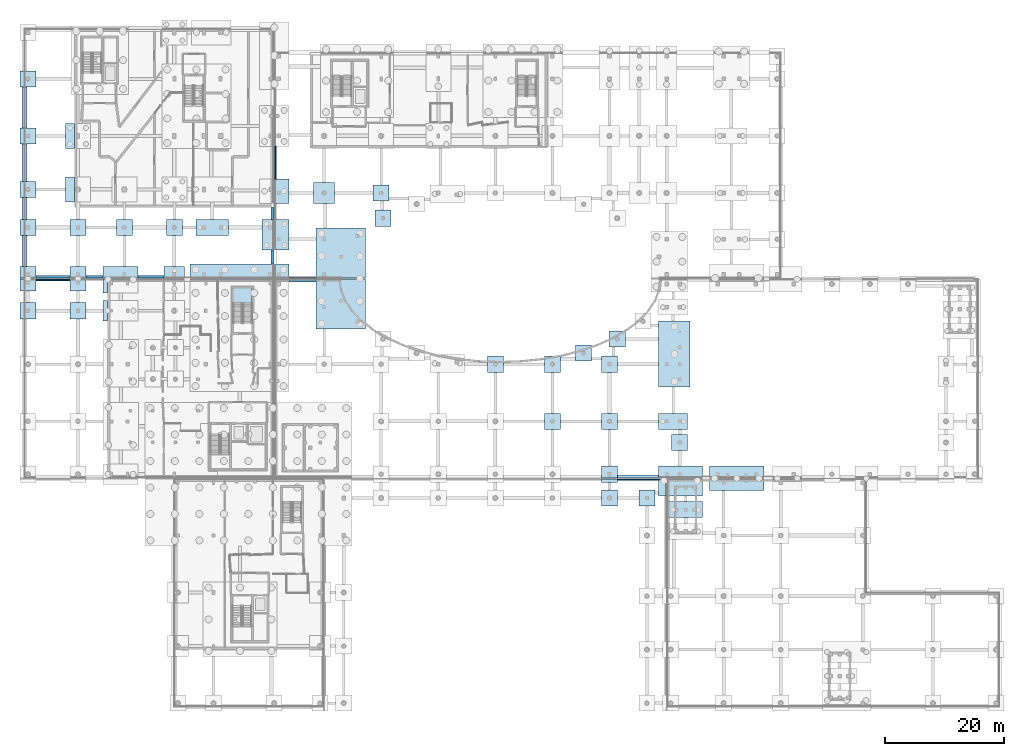
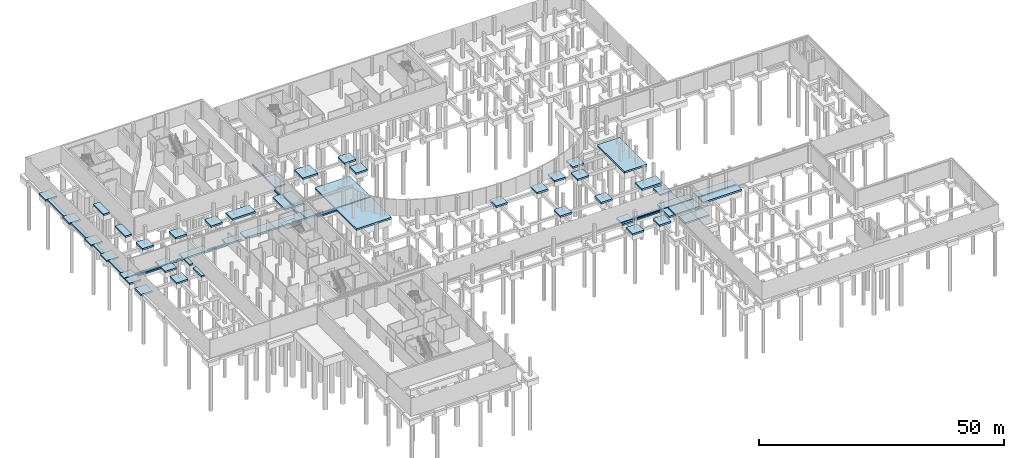
# One storey, part 17 of 40: 66 slabs, 1 element without a shape of its own.
"""IFC4 building model written with IfcOpenShell, lengths in metres."""

from ifc_helpers import new_model, si_unit, direction, frame, origin, place, context, subcontext, project, spatial, polyline, outline, extrude, material, layer, layer_set, type_object, element, aggregate, save


model = new_model("IFC4")

# Units and contexts
model_context = context("Model", 3, precision=1e-05, world=origin(), true_north=direction((0.0, 1.0)))
body_context = subcontext(model_context, "Body", "Model", "MODEL_VIEW")
ifc_project = project(units=[si_unit("LENGTHUNIT", "METRE"), si_unit("AREAUNIT", "SQUARE_METRE"), si_unit("VOLUMEUNIT", "CUBIC_METRE"), si_unit("PLANEANGLEUNIT", "RADIAN"), si_unit("MASSUNIT", "GRAM", prefix="KILO")], contexts=[model_context])

# Site, building, storey
site_placement = place(None, origin())
site = spatial("IfcSite", under=ifc_project, at=site_placement, CompositionType="ELEMENT")
building_placement = place(site_placement, origin())
building = spatial("IfcBuilding", under=site, at=building_placement, Name="Mzevani Central Library", CompositionType="ELEMENT")
storey_placement = place(building_placement, frame((0.0, 0.0, -4.5)))
storey = spatial("IfcBuildingStorey", under=building, at=storey_placement, Name="B1", CompositionType="ELEMENT", Elevation=-4.5)

# Slabs
ifc_material_1 = material(Name="Concrete C40/50", Category="concrete")
ifc_layer_1 = layer(ifc_material_1, 0.419921875, Name="Basement Mat Base Slab 420")
ifc_layer_set_1 = layer_set([ifc_layer_1], Name="Concrete C40/50")
slab_type_1 = type_object("IfcSlabType", Name="Basement Mat Base Slab 420", PredefinedType="BASESLAB", material=ifc_layer_set_1)
slab_1_placement = place(storey_placement, frame((0.0, 0.0, -0.419921875)))
element("IfcSlab", 1, at=slab_1_placement, inside=storey, type_object=slab_type_1, Name="B1 Foundation Plinth Collar (1)", PredefinedType="BASESLAB", context=body_context, shape_type="SweptSolid", body=[
    extrude(outline(polyline([(45.89990234375, 78.449951171875), (45.89990234375, 76.10009765625), (31.85009765625, 76.10009765625), (31.85009765625, 78.449951171875), (45.89990234375, 78.449951171875)])), origin(), (0.0, 0.0, 1.0), 0.419921875),
])
slab_2_placement = place(storey_placement, frame((0.0, 0.0, -0.419921875)))
element("IfcSlab", 2, at=slab_2_placement, inside=storey, type_object=slab_type_1, Name="B1 Foundation Plinth Collar (2)", PredefinedType="BASESLAB", context=body_context, shape_type="SweptSolid", body=[
    extrude(outline(polyline([(48.5, 78.449951171875), (48.5, 76.10009765625), (46.10009765625, 76.10009765625), (46.10009765625, 78.449951171875), (48.5, 78.449951171875)])), origin(), (0.0, 0.0, 1.0), 0.419921875),
])
slab_3_placement = place(storey_placement, frame((0.0, 0.0, -0.419921875)))
element("IfcSlab", 3, at=slab_3_placement, inside=storey, type_object=slab_type_1, Name="B1 Foundation Plinth Collar (5)", PredefinedType="BASESLAB", context=body_context, shape_type="SweptSolid", body=[
    extrude(outline(polyline([(53.050048828125, 75.89990234375), (61.325927734375, 75.89990234375), (61.325927734375, 67.5009765625), (53.050048828125, 67.5009765625), (53.050048828125, 75.89990234375)])), origin(), (0.0, 0.0, 1.0), 0.419921875),
])
slab_4_placement = place(storey_placement, frame((0.0, 0.0, -0.419921875)))
element("IfcSlab", 4, at=slab_4_placement, inside=storey, type_object=slab_type_1, Name="B1 Foundation Plinth Collar (6)", PredefinedType="BASESLAB", context=body_context, shape_type="SweptSolid", body=[
    extrude(outline(polyline([(53.050048828125, 84.4990234375), (61.325927734375, 84.4990234375), (61.325927734375, 76.10009765625), (53.050048828125, 76.10009765625), (53.050048828125, 84.4990234375)])), origin(), (0.0, 0.0, 1.0), 0.419921875),
])
slab_5_placement = place(storey_placement, frame((0.0, 0.0, -0.419921875)))
element("IfcSlab", 5, at=slab_5_placement, inside=storey, type_object=slab_type_1, Name="B1 Foundation Plinth Collar (18)", PredefinedType="BASESLAB", context=body_context, shape_type="SweptSolid", body=[
    extrude(outline(polyline([(81.85009765625, 62.949951171875), (84.550048828125, 62.949951171875), (84.550048828125, 60.25), (81.85009765625, 60.25), (81.85009765625, 62.949951171875)])), origin(), (0.0, 0.0, 1.0), 0.419921875),
])
slab_6_placement = place(storey_placement, frame((0.0, 0.0, -0.419921875)))
element("IfcSlab", 6, at=slab_6_placement, inside=storey, type_object=slab_type_1, Name="B1 Foundation Plinth Collar (21)", PredefinedType="BASESLAB", context=body_context, shape_type="SweptSolid", body=[
    extrude(outline(polyline([(91.449951171875, 53.35009765625), (94.14990234375, 53.35009765625), (94.14990234375, 50.64990234375), (91.449951171875, 50.64990234375), (91.449951171875, 53.35009765625)])), origin(), (0.0, 0.0, 1.0), 0.419921875),
])
slab_7_placement = place(storey_placement, frame((0.0, 0.0, -0.419921875)))
element("IfcSlab", 7, at=slab_7_placement, inside=storey, type_object=slab_type_1, Name="B1 Foundation Plinth Collar (22)", PredefinedType="BASESLAB", context=body_context, shape_type="SweptSolid", body=[
    extrude(outline(polyline([(91.449951171875, 62.949951171875), (94.14990234375, 62.949951171875), (94.14990234375, 60.25), (91.449951171875, 60.25), (91.449951171875, 62.949951171875)])), origin(), (0.0, 0.0, 1.0), 0.419921875),
])
slab_8_placement = place(storey_placement, frame((0.0, 0.0, -0.419921875)))
element("IfcSlab", 8, at=slab_8_placement, inside=storey, type_object=slab_type_1, Name="B1 Foundation Plinth Collar (23)", PredefinedType="BASESLAB", context=body_context, shape_type="SweptSolid", body=[
    extrude(outline(polyline([(101.050048828125, 42.300048828125), (103.75, 42.300048828125), (103.75, 41.75), (101.050048828125, 41.75), (101.050048828125, 42.300048828125)])), origin(), (0.0, 0.0, 1.0), 0.419921875),
])
slab_9_placement = place(storey_placement, frame((0.0, 0.0, -0.419921875)))
element("IfcSlab", 9, at=slab_9_placement, inside=storey, type_object=slab_type_1, Name="B1 Foundation Plinth Collar (24)", PredefinedType="BASESLAB", context=body_context, shape_type="SweptSolid", body=[
    extrude(outline(polyline([(101.050048828125, 44.449951171875), (103.75, 44.449951171875), (103.75, 42.5), (101.050048828125, 42.5), (101.050048828125, 44.449951171875)])), origin(), (0.0, 0.0, 1.0), 0.419921875),
])
slab_10_placement = place(storey_placement, frame((0.0, 0.0, -0.419921875)))
element("IfcSlab", 10, at=slab_10_placement, inside=storey, type_object=slab_type_1, Name="B1 Foundation Plinth Collar (25)", PredefinedType="BASESLAB", context=body_context, shape_type="SweptSolid", body=[
    extrude(outline(polyline([(101.050048828125, 53.35009765625), (103.75, 53.35009765625), (103.75, 50.64990234375), (101.050048828125, 50.64990234375), (101.050048828125, 53.35009765625)])), origin(), (0.0, 0.0, 1.0), 0.419921875),
])
slab_11_placement = place(storey_placement, frame((0.0, 0.0, -0.419921875)))
element("IfcSlab", 11, at=slab_11_placement, inside=storey, type_object=slab_type_1, Name="B1 Foundation Plinth Collar (26)", PredefinedType="BASESLAB", context=body_context, shape_type="SweptSolid", body=[
    extrude(outline(polyline([(101.050048828125, 62.949951171875), (103.75, 62.949951171875), (103.75, 60.25), (101.050048828125, 60.25), (101.050048828125, 62.949951171875)])), origin(), (0.0, 0.0, 1.0), 0.419921875),
])
slab_12_placement = place(storey_placement, frame((0.0, 0.0, -0.419921875)))
element("IfcSlab", 12, at=slab_12_placement, inside=storey, type_object=slab_type_1, Name="B1 Foundation Plinth Collar (27)", PredefinedType="BASESLAB", context=body_context, shape_type="SweptSolid", body=[
    extrude(outline(polyline([(110.64990234375, 42.300048828125), (111.89990234375, 42.300048828125), (111.89990234375, 39.449951171875), (110.64990234375, 39.449951171875), (110.64990234375, 42.300048828125)])), origin(), (0.0, 0.0, 1.0), 0.419921875),
])
slab_13_placement = place(storey_placement, frame((0.0, 0.0, -0.419921875)))
element("IfcSlab", 13, at=slab_13_placement, inside=storey, type_object=slab_type_1, Name="B1 Foundation Plinth Collar (28)", PredefinedType="BASESLAB", context=body_context, shape_type="SweptSolid", body=[
    extrude(outline(polyline([(110.64990234375, 44.449951171875), (118.050048828125, 44.449951171875), (118.050048828125, 42.5), (110.64990234375, 42.5), (110.64990234375, 44.449951171875)])), origin(), (0.0, 0.0, 1.0), 0.419921875),
])
slab_14_placement = place(storey_placement, frame((0.0, 0.0, -0.419921875)))
element("IfcSlab", 14, at=slab_14_placement, inside=storey, type_object=slab_type_1, Name="B1 Foundation Plinth Collar (29)", PredefinedType="BASESLAB", context=body_context, shape_type="SweptSolid", body=[
    extrude(outline(polyline([(118.050048828125, 39.449951171875), (112.10009765625, 39.449951171875), (112.10009765625, 42.300048828125), (118.050048828125, 42.300048828125), (118.050048828125, 39.449951171875)])), origin(), (0.0, 0.0, 1.0), 0.419921875),
])
slab_15_placement = place(storey_placement, frame((0.0, 0.0, -0.419921875)))
element("IfcSlab", 15, at=slab_15_placement, inside=storey, type_object=slab_type_1, Name="B1 Foundation Plinth Collar (30)", PredefinedType="BASESLAB", context=body_context, shape_type="SweptSolid", body=[
    extrude(outline(polyline([(110.64990234375, 53.35009765625), (115.550048828125, 53.35009765625), (115.550048828125, 50.64990234375), (110.64990234375, 50.64990234375), (110.64990234375, 53.35009765625)])), origin(), (0.0, 0.0, 1.0), 0.419921875),
])
slab_16_placement = place(storey_placement, frame((0.0, 0.0, -0.419921875)))
element("IfcSlab", 16, at=slab_16_placement, inside=storey, type_object=slab_type_1, Name="B1 Foundation Plinth Collar (31)", PredefinedType="BASESLAB", context=body_context, shape_type="SweptSolid", body=[
    extrude(outline(polyline([(110.64990234375, 68.85009765625), (115.949951171875, 68.85009765625), (115.949951171875, 57.75), (110.64990234375, 57.75), (110.64990234375, 68.85009765625)])), origin(), (0.0, 0.0, 1.0), 0.419921875),
])
slab_17_placement = place(storey_placement, frame((0.0, 0.0, -0.419921875)))
element("IfcSlab", 17, at=slab_17_placement, inside=storey, type_object=slab_type_1, Name="B1 Foundation Plinth Collar (43)", PredefinedType="BASESLAB", context=body_context, shape_type="SweptSolid", body=[
    extrude(outline(polyline([(119.25, 42.300048828125), (128.35009765625, 42.300048828125), (128.35009765625, 40.35009765625), (119.25, 40.35009765625), (119.25, 42.300048828125)])), origin(), (0.0, 0.0, 1.0), 0.419921875),
])
slab_18_placement = place(storey_placement, frame((0.0, 0.0, -0.419921875)))
element("IfcSlab", 18, at=slab_18_placement, inside=storey, type_object=slab_type_1, Name="B1 Foundation Plinth Collar (44)", PredefinedType="BASESLAB", context=body_context, shape_type="SweptSolid", body=[
    extrude(outline(polyline([(119.25, 44.449951171875), (128.35009765625, 44.449951171875), (128.35009765625, 42.5), (119.25, 42.5), (119.25, 44.449951171875)])), origin(), (0.0, 0.0, 1.0), 0.419921875),
])
slab_19_placement = place(storey_placement, frame((0.0, 0.0, -0.419921875)))
element("IfcSlab", 19, at=slab_19_placement, inside=storey, type_object=slab_type_1, Name="B1 Foundation Plinth Collar (63)", PredefinedType="BASESLAB", context=body_context, shape_type="SweptSolid", body=[
    extrude(outline(polyline([(112.85009765625, 49.782958984375), (115.550048828125, 49.782958984375), (115.550048828125, 47.0830078125), (112.85009765625, 47.0830078125), (112.85009765625, 49.782958984375)])), origin(), (0.0, 0.0, 1.0), 0.419921875),
])
slab_20_placement = place(storey_placement, frame((0.0, 0.0, -0.419921875)))
element("IfcSlab", 20, at=slab_20_placement, inside=storey, type_object=slab_type_1, Name="B1 Foundation Plinth Collar (67)", PredefinedType="BASESLAB", context=body_context, shape_type="SweptSolid", body=[
    extrude(outline(polyline([(96.68408203125, 64.822021484375), (99.384033203125, 64.822021484375), (99.384033203125, 62.1220703125), (96.68408203125, 62.1220703125), (96.68408203125, 64.822021484375)])), origin(), (0.0, 0.0, 1.0), 0.419921875),
])
slab_21_placement = place(storey_placement, frame((0.0, 0.0, -0.419921875)))
element("IfcSlab", 21, at=slab_21_placement, inside=storey, type_object=slab_type_1, Name="B1 Foundation Plinth Collar (68)", PredefinedType="BASESLAB", context=body_context, shape_type="SweptSolid", body=[
    extrude(outline(polyline([(102.35595703125, 67.194091796875), (105.055908203125, 67.194091796875), (105.055908203125, 64.493896484375), (102.35595703125, 64.493896484375), (102.35595703125, 67.194091796875)])), origin(), (0.0, 0.0, 1.0), 0.419921875),
])
slab_22_placement = place(storey_placement, frame((0.0, 0.0, -0.419921875)))
element("IfcSlab", 22, at=slab_22_placement, inside=storey, type_object=slab_type_1, Name="B1 Foundation Plinth Collar (70)", PredefinedType="BASESLAB", context=body_context, shape_type="SweptSolid", body=[
    extrude(outline(polyline([(3.25, 75.89990234375), (5.949951171875, 75.89990234375), (5.949951171875, 73.949951171875), (3.25, 73.949951171875), (3.25, 75.89990234375)])), origin(), (0.0, 0.0, 1.0), 0.419921875),
])
slab_23_placement = place(storey_placement, frame((0.0, 0.0, -0.419921875)))
element("IfcSlab", 23, at=slab_23_placement, inside=storey, type_object=slab_type_1, Name="B1 Foundation Plinth Collar (71)", PredefinedType="BASESLAB", context=body_context, shape_type="SweptSolid", body=[
    extrude(outline(polyline([(3.25, 78.050048828125), (5.949951171875, 78.050048828125), (5.949951171875, 76.10009765625), (3.25, 76.10009765625), (3.25, 78.050048828125)])), origin(), (0.0, 0.0, 1.0), 0.419921875),
])
slab_24_placement = place(storey_placement, frame((0.0, 0.0, -0.419921875)))
element("IfcSlab", 24, at=slab_24_placement, inside=storey, type_object=slab_type_1, Name="B1 Foundation Plinth Collar (72)", PredefinedType="BASESLAB", context=body_context, shape_type="SweptSolid", body=[
    extrude(outline(polyline([(3.25, 85.949951171875), (5.949951171875, 85.949951171875), (5.949951171875, 83.25), (3.25, 83.25), (3.25, 85.949951171875)])), origin(), (0.0, 0.0, 1.0), 0.419921875),
])
slab_25_placement = place(storey_placement, frame((0.0, 0.0, -0.419921875)))
element("IfcSlab", 25, at=slab_25_placement, inside=storey, type_object=slab_type_1, Name="B1 Foundation Plinth Collar (73)", PredefinedType="BASESLAB", context=body_context, shape_type="SweptSolid", body=[
    extrude(outline(polyline([(3.25, 92.35009765625), (5.949951171875, 92.35009765625), (5.949951171875, 89.64990234375), (3.25, 89.64990234375), (3.25, 92.35009765625)])), origin(), (0.0, 0.0, 1.0), 0.419921875),
])
slab_26_placement = place(storey_placement, frame((0.0, 0.0, -0.419921875)))
element("IfcSlab", 26, at=slab_26_placement, inside=storey, type_object=slab_type_1, Name="B1 Foundation Plinth Collar (74)", PredefinedType="BASESLAB", context=body_context, shape_type="SweptSolid", body=[
    extrude(outline(polyline([(3.25, 101.35009765625), (5.949951171875, 101.35009765625), (5.949951171875, 98.64990234375), (3.25, 98.64990234375), (3.25, 101.35009765625)])), origin(), (0.0, 0.0, 1.0), 0.419921875),
])
slab_27_placement = place(storey_placement, frame((0.0, 0.0, -0.419921875)))
element("IfcSlab", 27, at=slab_27_placement, inside=storey, type_object=slab_type_1, Name="B1 Foundation Plinth Collar (75)", PredefinedType="BASESLAB", context=body_context, shape_type="SweptSolid", body=[
    extrude(outline(polyline([(3.25, 110.949951171875), (5.949951171875, 110.949951171875), (5.949951171875, 108.25), (3.25, 108.25), (3.25, 110.949951171875)])), origin(), (0.0, 0.0, 1.0), 0.419921875),
])
slab_28_placement = place(storey_placement, frame((0.0, 0.0, -0.419921875)))
element("IfcSlab", 28, at=slab_28_placement, inside=storey, type_object=slab_type_1, Name="B1 Foundation Plinth Collar (77)", PredefinedType="BASESLAB", context=body_context, shape_type="SweptSolid", body=[
    extrude(outline(polyline([(11.64990234375, 75.89990234375), (14.35009765625, 75.89990234375), (14.35009765625, 73.949951171875), (11.64990234375, 73.949951171875), (11.64990234375, 75.89990234375)])), origin(), (0.0, 0.0, 1.0), 0.419921875),
])
slab_29_placement = place(storey_placement, frame((0.0, 0.0, -0.419921875)))
element("IfcSlab", 29, at=slab_29_placement, inside=storey, type_object=slab_type_1, Name="B1 Foundation Plinth Collar (78)", PredefinedType="BASESLAB", context=body_context, shape_type="SweptSolid", body=[
    extrude(outline(polyline([(11.64990234375, 78.050048828125), (14.35009765625, 78.050048828125), (14.35009765625, 76.10009765625), (11.64990234375, 76.10009765625), (11.64990234375, 78.050048828125)])), origin(), (0.0, 0.0, 1.0), 0.419921875),
])
slab_30_placement = place(storey_placement, frame((0.0, 0.0, -0.419921875)))
element("IfcSlab", 30, at=slab_30_placement, inside=storey, type_object=slab_type_1, Name="B1 Foundation Plinth Collar (79)", PredefinedType="BASESLAB", context=body_context, shape_type="SweptSolid", body=[
    extrude(outline(polyline([(11.64990234375, 85.949951171875), (14.35009765625, 85.949951171875), (14.35009765625, 83.25), (11.64990234375, 83.25), (11.64990234375, 85.949951171875)])), origin(), (0.0, 0.0, 1.0), 0.419921875),
])
slab_31_placement = place(storey_placement, frame((0.0, 0.0, -0.419921875)))
element("IfcSlab", 31, at=slab_31_placement, inside=storey, type_object=slab_type_1, Name="B1 Foundation Plinth Collar (80)", PredefinedType="BASESLAB", context=body_context, shape_type="SweptSolid", body=[
    extrude(outline(polyline([(10.89990234375, 93.10009765625), (12.3798828125, 93.10009765625), (12.3798828125, 88.89990234375), (10.89990234375, 88.89990234375), (10.89990234375, 93.10009765625)])), origin(), (0.0, 0.0, 1.0), 0.419921875),
])
slab_32_placement = place(storey_placement, frame((0.0, 0.0, -0.419921875)))
element("IfcSlab", 32, at=slab_32_placement, inside=storey, type_object=slab_type_1, Name="B1 Foundation Plinth Collar (81)", PredefinedType="BASESLAB", context=body_context, shape_type="SweptSolid", body=[
    extrude(outline(polyline([(10.89990234375, 102.10009765625), (12.3798828125, 102.10009765625), (12.3798828125, 97.89990234375), (10.89990234375, 97.89990234375), (10.89990234375, 102.10009765625)])), origin(), (0.0, 0.0, 1.0), 0.419921875),
])
slab_33_placement = place(storey_placement, frame((0.0, 0.0, -0.419921875)))
element("IfcSlab", 33, at=slab_33_placement, inside=storey, type_object=slab_type_1, Name="B1 Foundation Plinth Collar (82)", PredefinedType="BASESLAB", context=body_context, shape_type="SweptSolid", body=[
    extrude(outline(polyline([(17.25, 75.89990234375), (17.97998046875, 75.89990234375), (17.97998046875, 73.550048828125), (17.25, 73.550048828125), (17.25, 75.89990234375)])), origin(), (0.0, 0.0, 1.0), 0.419921875),
])
slab_34_placement = place(storey_placement, frame((0.0, 0.0, -0.419921875)))
element("IfcSlab", 34, at=slab_34_placement, inside=storey, type_object=slab_type_1, Name="B1 Foundation Plinth Collar (83)", PredefinedType="BASESLAB", context=body_context, shape_type="SweptSolid", body=[
    extrude(outline(polyline([(17.25, 78.050048828125), (23.10009765625, 78.050048828125), (23.10009765625, 76.10009765625), (17.25, 76.10009765625), (17.25, 78.050048828125)])), origin(), (0.0, 0.0, 1.0), 0.419921875),
])
slab_35_placement = place(storey_placement, frame((0.0, 0.0, -0.419921875)))
element("IfcSlab", 35, at=slab_35_placement, inside=storey, type_object=slab_type_1, Name="B1 Foundation Plinth Collar (84)", PredefinedType="BASESLAB", context=body_context, shape_type="SweptSolid", body=[
    extrude(outline(polyline([(19.449951171875, 85.949951171875), (22.14990234375, 85.949951171875), (22.14990234375, 83.25), (19.449951171875, 83.25), (19.449951171875, 85.949951171875)])), origin(), (0.0, 0.0, 1.0), 0.419921875),
])
slab_36_placement = place(storey_placement, frame((0.0, 0.0, -0.419921875)))
element("IfcSlab", 36, at=slab_36_placement, inside=storey, type_object=slab_type_1, Name="B1 Foundation Plinth Collar (85)", PredefinedType="BASESLAB", context=body_context, shape_type="SweptSolid", body=[
    extrude(outline(polyline([(30.949951171875, 78.050048828125), (30.949951171875, 76.10009765625), (27.449951171875, 76.10009765625), (27.449951171875, 78.050048828125), (30.949951171875, 78.050048828125)])), origin(), (0.0, 0.0, 1.0), 0.419921875),
])
slab_37_placement = place(storey_placement, frame((0.0, 0.0, -0.419921875)))
element("IfcSlab", 37, at=slab_37_placement, inside=storey, type_object=slab_type_1, Name="B1 Foundation Plinth Collar (86)", PredefinedType="BASESLAB", context=body_context, shape_type="SweptSolid", body=[
    extrude(outline(polyline([(27.85009765625, 85.949951171875), (30.550048828125, 85.949951171875), (30.550048828125, 83.25), (27.85009765625, 83.25), (27.85009765625, 85.949951171875)])), origin(), (0.0, 0.0, 1.0), 0.419921875),
])
slab_38_placement = place(storey_placement, frame((0.0, 0.0, -0.419921875)))
element("IfcSlab", 38, at=slab_38_placement, inside=storey, type_object=slab_type_1, Name="B1 Foundation Plinth Collar (88)", PredefinedType="BASESLAB", context=body_context, shape_type="SweptSolid", body=[
    extrude(outline(polyline([(32.85009765625, 85.949951171875), (38.35009765625, 85.949951171875), (38.35009765625, 83.25), (32.85009765625, 83.25), (32.85009765625, 85.949951171875)])), origin(), (0.0, 0.0, 1.0), 0.419921875),
])
slab_39_placement = place(storey_placement, frame((0.0, 0.0, -0.419921875)))
element("IfcSlab", 39, at=slab_39_placement, inside=storey, type_object=slab_type_1, Name="B1 Foundation Plinth Collar (90)", PredefinedType="BASESLAB", context=body_context, shape_type="SweptSolid", body=[
    extrude(outline(polyline([(43.949951171875, 85.949951171875), (45.89990234375, 85.949951171875), (45.89990234375, 80.85009765625), (43.949951171875, 80.85009765625), (43.949951171875, 85.949951171875)])), origin(), (0.0, 0.0, 1.0), 0.419921875),
])
slab_40_placement = place(storey_placement, frame((0.0, 0.0, -0.419921875)))
element("IfcSlab", 40, at=slab_40_placement, inside=storey, type_object=slab_type_1, Name="B1 Foundation Plinth Collar (91)", PredefinedType="BASESLAB", context=body_context, shape_type="SweptSolid", body=[
    extrude(outline(polyline([(48.5, 85.949951171875), (48.5, 80.85009765625), (46.10009765625, 80.85009765625), (46.10009765625, 85.949951171875), (48.5, 85.949951171875)])), origin(), (0.0, 0.0, 1.0), 0.419921875),
])
slab_41_placement = place(storey_placement, frame((0.0, 0.0, -0.419921875)))
element("IfcSlab", 41, at=slab_41_placement, inside=storey, type_object=slab_type_1, Name="B1 Foundation Plinth Collar (92)", PredefinedType="BASESLAB", context=body_context, shape_type="SweptSolid", body=[
    extrude(outline(polyline([(48.5, 88.64990234375), (46.10009765625, 88.64990234375), (46.10009765625, 92.75), (48.5, 92.75), (48.5, 88.64990234375)])), origin(), (0.0, 0.0, 1.0), 0.419921875),
])
slab_42_placement = place(storey_placement, frame((0.0, 0.0, -0.419921875)))
element("IfcSlab", 42, at=slab_42_placement, inside=storey, type_object=slab_type_1, Name="B1 Foundation Plinth Collar (96)", PredefinedType="BASESLAB", context=body_context, shape_type="SweptSolid", body=[
    extrude(outline(polyline([(52.64990234375, 92.14990234375), (56.14990234375, 92.14990234375), (56.14990234375, 88.64990234375), (52.64990234375, 88.64990234375), (52.64990234375, 92.14990234375)])), origin(), (0.0, 0.0, 1.0), 0.419921875),
])
slab_43_placement = place(storey_placement, frame((0.0, 0.0, -0.419921875)))
element("IfcSlab", 43, at=slab_43_placement, inside=storey, type_object=slab_type_1, Name="B1 Foundation Plinth Collar (97)", PredefinedType="BASESLAB", context=body_context, shape_type="SweptSolid", body=[
    extrude(outline(polyline([(62.64990234375, 91.75), (65.35009765625, 91.75), (65.35009765625, 89.050048828125), (62.64990234375, 89.050048828125), (62.64990234375, 91.75)])), origin(), (0.0, 0.0, 1.0), 0.419921875),
])
slab_44_placement = place(storey_placement, frame((0.0, 0.0, -0.419921875)))
element("IfcSlab", 44, at=slab_44_placement, inside=storey, type_object=slab_type_1, Name="B1 Foundation Plinth Collar (126)", PredefinedType="BASESLAB", context=body_context, shape_type="SweptSolid", body=[
    extrude(outline(polyline([(62.944091796875, 87.506103515625), (65.64404296875, 87.506103515625), (65.64404296875, 84.805908203125), (62.944091796875, 84.805908203125), (62.944091796875, 87.506103515625)])), origin(), (0.0, 0.0, 1.0), 0.419921875),
])
slab_45_placement = place(storey_placement, frame((0.0, 0.0, -0.419921875)))
element("IfcSlab", 45, at=slab_45_placement, inside=storey, type_object=slab_type_1, Name="B1 Foundation Plinth Collar (145)", PredefinedType="BASESLAB", context=body_context, shape_type="SweptSolid", body=[
    extrude(outline(polyline([(3.25, 71.949951171875), (5.949951171875, 71.949951171875), (5.949951171875, 69.25), (3.25, 69.25), (3.25, 71.949951171875)])), origin(), (0.0, 0.0, 1.0), 0.419921875),
])
slab_46_placement = place(storey_placement, frame((0.0, 0.0, -0.419921875)))
element("IfcSlab", 46, at=slab_46_placement, inside=storey, type_object=slab_type_1, Name="B1 Foundation Plinth Collar (150)", PredefinedType="BASESLAB", context=body_context, shape_type="SweptSolid", body=[
    extrude(outline(polyline([(11.64990234375, 71.949951171875), (14.35009765625, 71.949951171875), (14.35009765625, 69.25), (11.64990234375, 69.25), (11.64990234375, 71.949951171875)])), origin(), (0.0, 0.0, 1.0), 0.419921875),
])
slab_47_placement = place(storey_placement, frame((0.0, 0.0, -0.419921875)))
element("IfcSlab", 47, at=slab_47_placement, inside=storey, type_object=slab_type_1, Name="B1 Foundation Plinth Collar (155)", PredefinedType="BASESLAB", context=body_context, shape_type="SweptSolid", body=[
    extrude(outline(polyline([(17.25, 72.35009765625), (17.97998046875, 72.35009765625), (17.97998046875, 68.85009765625), (17.25, 68.85009765625), (17.25, 72.35009765625)])), origin(), (0.0, 0.0, 1.0), 0.419921875),
])
slab_48_placement = place(storey_placement, frame((0.0, 0.0, -0.419921875)))
element("IfcSlab", 48, at=slab_48_placement, inside=storey, type_object=slab_type_1, Name="B1 Foundation Plinth Collar (187)", PredefinedType="BASESLAB", context=body_context, shape_type="SweptSolid", body=[
    extrude(outline(polyline([(107.35009765625, 40.449951171875), (110.050048828125, 40.449951171875), (110.050048828125, 37.75), (107.35009765625, 37.75), (107.35009765625, 40.449951171875)])), origin(), (0.0, 0.0, 1.0), 0.419921875),
])
slab_49_placement = place(storey_placement, frame((0.0, 0.0, -0.419921875)))
element("IfcSlab", 49, at=slab_49_placement, inside=storey, type_object=slab_type_1, Name="B1 Foundation Plinth Collar (192)", PredefinedType="BASESLAB", context=body_context, shape_type="SweptSolid", body=[
    extrude(outline(polyline([(101.050048828125, 40.449951171875), (103.75, 40.449951171875), (103.75, 37.75), (101.050048828125, 37.75), (101.050048828125, 40.449951171875)])), origin(), (0.0, 0.0, 1.0), 0.419921875),
])
slab_50_placement = place(storey_placement, frame((0.0, 0.0, -0.419921875)))
element("IfcSlab", 50, at=slab_50_placement, inside=storey, type_object=slab_type_1, Name="B1 Foundation Plinth Collar (198)", PredefinedType="BASESLAB", context=body_context, shape_type="SweptSolid", body=[
    extrude(outline(polyline([(112.35009765625, 38.5), (118.050048828125, 38.5), (118.050048828125, 35.800048828125), (112.35009765625, 35.800048828125), (112.35009765625, 38.5)])), origin(), (0.0, 0.0, 1.0), 0.419921875),
])
slab_51_placement = place(storey_placement, frame((0.0, 0.0, -0.419921875)))
element("IfcSlab", 51, at=slab_51_placement, inside=storey, type_object=slab_type_1, Name="B1 Strip Footing Plinth Collar (213)", PredefinedType="BASESLAB", context=body_context, shape_type="SweptSolid", body=[
    extrude(outline(polyline([(103.75, 42.300048828125), (110.64990234375, 42.300048828125), (110.64990234375, 42.050048828125), (103.75, 42.050048828125), (103.75, 42.300048828125)])), origin(), (0.0, 0.0, 1.0), 0.419921875),
])
slab_52_placement = place(storey_placement, frame((0.0, 0.0, -0.419921875)))
element("IfcSlab", 52, at=slab_52_placement, inside=storey, type_object=slab_type_1, Name="B1 Strip Footing Plinth Collar (214)", PredefinedType="BASESLAB", context=body_context, shape_type="SweptSolid", body=[
    extrude(outline(polyline([(103.75, 42.949951171875), (110.64990234375, 42.949951171875), (110.64990234375, 42.5), (103.75, 42.5), (103.75, 42.949951171875)])), origin(), (0.0, 0.0, 1.0), 0.419921875),
])
slab_53_placement = place(storey_placement, frame((0.0, 0.0, -0.419921875)))
element("IfcSlab", 53, at=slab_53_placement, inside=storey, type_object=slab_type_1, Name="B1 Strip Footing Plinth Collar (222)", PredefinedType="BASESLAB", context=body_context, shape_type="SweptSolid", body=[
    extrude(outline(polyline([(53.050048828125, 76.10009765625), (48.5, 76.10009765625), (48.5, 76.35009765625), (53.050048828125, 76.35009765625), (53.050048828125, 76.10009765625)])), origin(), (0.0, 0.0, 1.0), 0.419921875),
])
slab_54_placement = place(storey_placement, frame((0.0, 0.0, -0.419921875)))
element("IfcSlab", 54, at=slab_54_placement, inside=storey, type_object=slab_type_1, Name="B1 Strip Footing Plinth Collar (223)", PredefinedType="BASESLAB", context=body_context, shape_type="SweptSolid", body=[
    extrude(outline(polyline([(53.050048828125, 75.449951171875), (48.5, 75.449951171875), (48.5, 75.89990234375), (53.050048828125, 75.89990234375), (53.050048828125, 75.449951171875)])), origin(), (0.0, 0.0, 1.0), 0.419921875),
])
slab_55_placement = place(storey_placement, frame((0.0, 0.0, -0.419921875)))
element("IfcSlab", 55, at=slab_55_placement, inside=storey, type_object=slab_type_1, Name="B1 Strip Footing Plinth Collar (230)", PredefinedType="BASESLAB", context=body_context, shape_type="SweptSolid", body=[
    extrude(outline(polyline([(46.35009765625, 92.75), (46.10009765625, 92.75), (46.10009765625, 98.25), (46.35009765625, 98.25), (46.35009765625, 92.75)])), origin(), (0.0, 0.0, 1.0), 0.419921875),
])
slab_56_placement = place(storey_placement, frame((0.0, 0.0, -0.419921875)))
element("IfcSlab", 56, at=slab_56_placement, inside=storey, type_object=slab_type_1, Name="B1 Strip Footing Plinth Collar (231)", PredefinedType="BASESLAB", context=body_context, shape_type="SweptSolid", body=[
    extrude(outline(polyline([(45.89990234375, 87.97998046875), (45.89990234375, 85.949951171875), (45.449951171875, 85.949951171875), (45.449951171875, 87.97998046875), (45.89990234375, 87.97998046875)])), origin(), (0.0, 0.0, 1.0), 0.419921875),
])
slab_57_placement = place(storey_placement, frame((0.0, 0.0, -0.419921875)))
element("IfcSlab", 57, at=slab_57_placement, inside=storey, type_object=slab_type_1, Name="B1 Strip Footing Plinth Collar (232)", PredefinedType="BASESLAB", context=body_context, shape_type="SweptSolid", body=[
    extrude(outline(polyline([(45.89990234375, 80.85009765625), (45.89990234375, 78.449951171875), (45.449951171875, 78.449951171875), (45.449951171875, 80.85009765625), (45.89990234375, 80.85009765625)])), origin(), (0.0, 0.0, 1.0), 0.419921875),
])
slab_58_placement = place(storey_placement, frame((0.0, 0.0, -0.419921875)))
element("IfcSlab", 58, at=slab_58_placement, inside=storey, type_object=slab_type_1, Name="B1 Strip Footing Plinth Collar (236)", PredefinedType="BASESLAB", context=body_context, shape_type="SweptSolid", body=[
    extrude(outline(polyline([(3.60009765625, 78.050048828125), (3.60009765625, 83.25), (4.39990234375, 83.25), (4.39990234375, 78.050048828125), (3.60009765625, 78.050048828125)])), origin(), (0.0, 0.0, 1.0), 0.419921875),
])
slab_59_placement = place(storey_placement, frame((0.0, 0.0, -0.419921875)))
element("IfcSlab", 59, at=slab_59_placement, inside=storey, type_object=slab_type_1, Name="B1 Strip Footing Plinth Collar (237)", PredefinedType="BASESLAB", context=body_context, shape_type="SweptSolid", body=[
    extrude(outline(polyline([(3.60009765625, 85.949951171875), (3.60009765625, 89.64990234375), (4.39990234375, 89.64990234375), (4.39990234375, 85.949951171875), (3.60009765625, 85.949951171875)])), origin(), (0.0, 0.0, 1.0), 0.419921875),
])
slab_60_placement = place(storey_placement, frame((0.0, 0.0, -0.419921875)))
element("IfcSlab", 60, at=slab_60_placement, inside=storey, type_object=slab_type_1, Name="B1 Strip Footing Plinth Collar (238)", PredefinedType="BASESLAB", context=body_context, shape_type="SweptSolid", body=[
    extrude(outline(polyline([(3.60009765625, 92.35009765625), (3.60009765625, 98.64990234375), (4.39990234375, 98.64990234375), (4.39990234375, 92.35009765625), (3.60009765625, 92.35009765625)])), origin(), (0.0, 0.0, 1.0), 0.419921875),
])
slab_61_placement = place(storey_placement, frame((0.0, 0.0, -0.419921875)))
element("IfcSlab", 61, at=slab_61_placement, inside=storey, type_object=slab_type_1, Name="B1 Strip Footing Plinth Collar (239)", PredefinedType="BASESLAB", context=body_context, shape_type="SweptSolid", body=[
    extrude(outline(polyline([(3.60009765625, 101.35009765625), (3.60009765625, 108.25), (4.39990234375, 108.25), (4.39990234375, 101.35009765625), (3.60009765625, 101.35009765625)])), origin(), (0.0, 0.0, 1.0), 0.419921875),
])
slab_62_placement = place(storey_placement, frame((0.0, 0.0, -0.419921875)))
element("IfcSlab", 62, at=slab_62_placement, inside=storey, type_object=slab_type_1, Name="B1 Strip Footing Plinth Collar (241)", PredefinedType="BASESLAB", context=body_context, shape_type="SweptSolid", body=[
    extrude(outline(polyline([(27.449951171875, 76.10009765625), (23.10009765625, 76.10009765625), (23.10009765625, 76.550048828125), (27.449951171875, 76.550048828125), (27.449951171875, 76.10009765625)])), origin(), (0.0, 0.0, 1.0), 0.419921875),
])
slab_63_placement = place(storey_placement, frame((0.0, 0.0, -0.419921875)))
element("IfcSlab", 63, at=slab_63_placement, inside=storey, type_object=slab_type_1, Name="B1 Strip Footing Plinth Collar (242)", PredefinedType="BASESLAB", context=body_context, shape_type="SweptSolid", body=[
    extrude(outline(polyline([(17.25, 76.10009765625), (14.35009765625, 76.10009765625), (14.35009765625, 76.550048828125), (17.25, 76.550048828125), (17.25, 76.10009765625)])), origin(), (0.0, 0.0, 1.0), 0.419921875),
])
slab_64_placement = place(storey_placement, frame((0.0, 0.0, -0.419921875)))
element("IfcSlab", 64, at=slab_64_placement, inside=storey, type_object=slab_type_1, Name="B1 Strip Footing Plinth Collar (243)", PredefinedType="BASESLAB", context=body_context, shape_type="SweptSolid", body=[
    extrude(outline(polyline([(11.64990234375, 76.10009765625), (5.949951171875, 76.10009765625), (5.949951171875, 76.550048828125), (11.64990234375, 76.550048828125), (11.64990234375, 76.10009765625)])), origin(), (0.0, 0.0, 1.0), 0.419921875),
])
slab_65_placement = place(storey_placement, frame((0.0, 0.0, -0.419921875)))
element("IfcSlab", 65, at=slab_65_placement, inside=storey, type_object=slab_type_1, Name="B1 Strip Footing Plinth Collar (244)", PredefinedType="BASESLAB", context=body_context, shape_type="SweptSolid", body=[
    extrude(outline(polyline([(11.64990234375, 75.64990234375), (5.949951171875, 75.64990234375), (5.949951171875, 75.89990234375), (11.64990234375, 75.89990234375), (11.64990234375, 75.64990234375)])), origin(), (0.0, 0.0, 1.0), 0.419921875),
])

# Stair, slab
ifc_material_2 = material(Name="Concrete C35/45", Category="concrete")
stair_type = type_object("IfcStairType", Name="Dogleg Exit Stair 173x280", PredefinedType="HALF_TURN_STAIR", material=ifc_material_2)
stair_placement = place(storey_placement, origin())
stair = element("IfcStair", 66, at=stair_placement, inside=storey, type_object=stair_type, Name="B1 Core C5B Lecture North Escape Stair Exit Stair ST-03", PredefinedType="HALF_TURN_STAIR")
ifc_layer_2 = layer(ifc_material_2, 0.199951171875, Name="Stair Landing Slab 200")
ifc_layer_set_2 = layer_set([ifc_layer_2], Name="Concrete C35/45")
slab_type_2 = type_object("IfcSlabType", Name="Stair Landing Slab 200", PredefinedType="LANDING", material=ifc_layer_set_2)
slab_66_placement = place(storey_placement, frame((0.0, 0.0, 2.050048828125)))
slab_66 = element("IfcSlab", 67, at=slab_66_placement, type_object=slab_type_2, Name="ST-10 landing 1", PredefinedType="LANDING", context=body_context, shape_type="SweptSolid", body=[
    extrude(outline(polyline([(42.300048828125, 71.860107421875), (42.300048828125, 74.39990234375), (39.10009765625, 74.39990234375), (39.10009765625, 71.860107421875), (42.300048828125, 71.860107421875)])), origin(), (0.0, 0.0, 1.0), 0.199951171875),
])
aggregate(stair, [slab_66])

save(model, "model.ifc")
